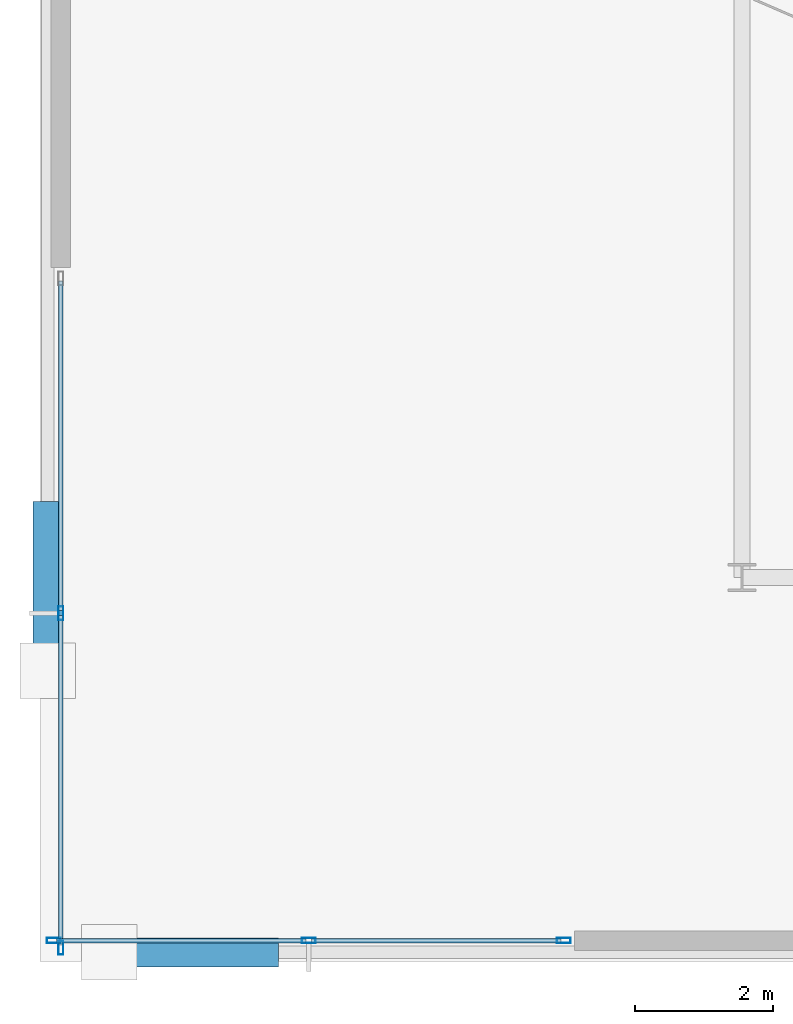
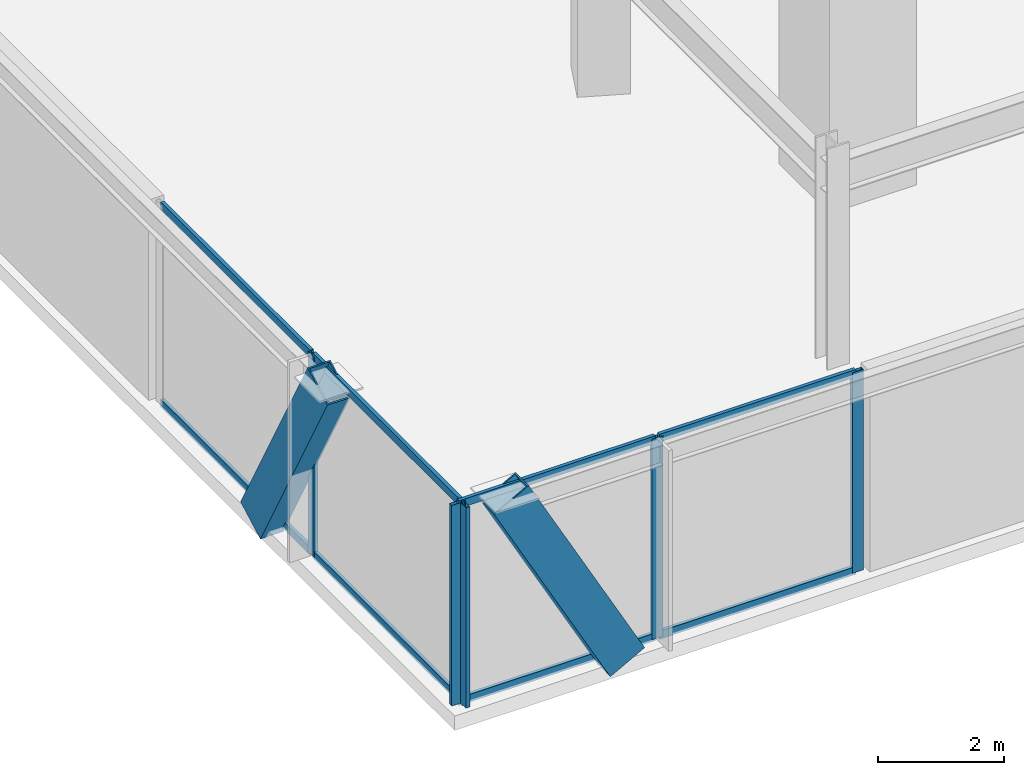
# One storey, part 2 of 46: 15 members, 2 elements without a shape of their own.
"""IFC4 building model written with IfcOpenShell, lengths in metres."""

from ifc_helpers import new_model, si_unit, direction, frame, origin, origin_2d, place, context, subcontext, project, spatial, hollow_rectangle, extrude, material, layer, layer_set, material_profile, profile_set, type_object, element, aggregate, save


model = new_model("IFC4")

# Units and contexts
model_context = context("Model", 3, precision=1e-05, world=origin(), true_north=direction((0.0, 1.0)))
body_context = subcontext(model_context, "Body", "Model", "MODEL_VIEW")
ifc_project = project(units=[si_unit("LENGTHUNIT", "METRE"), si_unit("AREAUNIT", "SQUARE_METRE"), si_unit("VOLUMEUNIT", "CUBIC_METRE"), si_unit("PLANEANGLEUNIT", "RADIAN"), si_unit("MASSUNIT", "GRAM", prefix="KILO")], contexts=[model_context])

# Site, building, storey
site_placement = place(None, origin())
site = spatial("IfcSite", under=ifc_project, at=site_placement, CompositionType="ELEMENT")
building_placement = place(site_placement, origin())
building = spatial("IfcBuilding", under=site, at=building_placement, Name="Orvanel Arch Residences", CompositionType="ELEMENT")
storey_placement = place(building_placement, frame((0.0, 0.0, 14.10009765625)))
storey = spatial("IfcBuildingStorey", under=building, at=storey_placement, Name="L03", CompositionType="ELEMENT", Elevation=14.10009765625)

# Members
ifc_material_1 = material(Name="Structural steel AS/NZS 3678 Grade 350", Category="steel")
ifc_material_profile_1 = material_profile(ifc_material_1, hollow_rectangle(XDim=0.419921875, YDim=0.719970703125, WallThickness=0.02490234375, at=origin_2d()), Name="RHS720x420x25")
ifc_profile_set_1 = profile_set([ifc_material_profile_1], Name="Structural steel AS/NZS 3678 Grade 350")
member_type_1 = type_object("IfcMemberType", Name="BR-720RHS-EXT", PredefinedType="BRACE", material=ifc_profile_set_1)
for number, where, z_axis, x_axis, name in (
    (1, (4.384033203125, 0.580078125, 0.0), (-0.480032945873, 0.0, 0.877250460745), (0.0, -1.0, 0.0), "L03 Podium Multi-Storey V-Strut Pair SW Leg 1"),
    (2, (1.360107421875, 6.783935546875, 0.0), (0.0, -0.480032945873, 0.877250460745), (1.0, 0.0, 0.0), "L03 Podium Multi-Storey V-Strut Pair W1 Leg 1"),
):
    element("IfcMember", number, at=place(storey_placement, frame(where, z_axis=z_axis, x_axis=x_axis)), inside=storey, type_object=member_type_1, Name=name, PredefinedType="BRACE", context=body_context, shape_type="SweptSolid", body=[
        extrude(hollow_rectangle(XDim=0.419921875, YDim=0.719970703125, WallThickness=0.02490234375, at=origin_2d()), origin(), (0.0, 0.0, 1.0), 4.445556640625),
    ])

# Curtain wall, members
ifc_material_2 = material(Name="Bronze-anodised aluminium AA6063-T6", Category="aluminium")
ifc_layer = layer(ifc_material_2, 0.199951171875)
ifc_layer_set = layer_set([ifc_layer], Name="Bronze-anodised aluminium AA6063-T6")
curtain_wall_type = type_object("IfcCurtainWallType", Name="CW1-POD-SYS", PredefinedType="NOTDEFINED", material=ifc_layer_set)
curtain_wall_1_placement = place(storey_placement, origin())
curtain_wall_1 = element("IfcCurtainWall", 3, at=curtain_wall_1_placement, inside=storey, type_object=curtain_wall_type, Name="L03 CW1-POD-SYS Unitised Curtain Wall", PredefinedType="NOTDEFINED")
ifc_material_profile_2 = material_profile(ifc_material_2, hollow_rectangle(XDim=0.074951171875, YDim=0.199951171875, WallThickness=0.0048828125, at=origin_2d()), Name="ALU200x75x5")
ifc_profile_set_2 = profile_set([ifc_material_profile_2], Name="Bronze-anodised aluminium AA6063-T6")
member_type_2 = type_object("IfcMemberType", Name="MUL-200x75", PredefinedType="MULLION", material=ifc_profile_set_2)
member_1_placement = place(storey_placement, frame((1.447509765625, 0.75, 0.0), z_axis=(0.0, 0.0, 1.0), x_axis=(0.0, 1.0, 0.0)))
member_1 = element("IfcMember", 4, at=member_1_placement, type_object=member_type_2, Name="CW-S1 mullion 1", PredefinedType="MULLION", context=body_context, shape_type="SweptSolid", body=[
    extrude(hollow_rectangle(XDim=0.074951171875, YDim=0.199951171875, WallThickness=0.0048828125, at=origin_2d()), origin(), (0.0, 0.0, 1.0), 3.89990234375),
])
member_2_placement = place(storey_placement, frame((5.135009765625, 0.75, 0.0), z_axis=(0.0, 0.0, 1.0), x_axis=(0.0, 1.0, 0.0)))
member_2 = element("IfcMember", 5, at=member_2_placement, type_object=member_type_2, Name="CW-S1 mullion 2", PredefinedType="MULLION", context=body_context, shape_type="SweptSolid", body=[
    extrude(hollow_rectangle(XDim=0.074951171875, YDim=0.199951171875, WallThickness=0.0048828125, at=origin_2d()), origin(), (0.0, 0.0, 1.0), 3.89990234375),
])
member_3_placement = place(storey_placement, frame((8.822509765625, 0.75, 0.0), z_axis=(0.0, 0.0, 1.0), x_axis=(0.0, 1.0, 0.0)))
member_3 = element("IfcMember", 6, at=member_3_placement, type_object=member_type_2, Name="CW-S1 mullion 3", PredefinedType="MULLION", context=body_context, shape_type="SweptSolid", body=[
    extrude(hollow_rectangle(XDim=0.074951171875, YDim=0.199951171875, WallThickness=0.0048828125, at=origin_2d()), origin(), (0.0, 0.0, 1.0), 3.89990234375),
])

curtain_wall_2_placement = place(storey_placement, origin())
curtain_wall_2 = element("IfcCurtainWall", 7, at=curtain_wall_2_placement, inside=storey, type_object=curtain_wall_type, Name="L03 CW1-POD-SYS Unitised Curtain Wall", PredefinedType="NOTDEFINED")
member_4_placement = place(storey_placement, frame((1.550048828125, 5.485107421875, 0.0), z_axis=(0.0, 0.0, 1.0), x_axis=(1.0, 0.0, 0.0)))
member_4 = element("IfcMember", 8, at=member_4_placement, type_object=member_type_2, Name="CW-S1 mullion 2", PredefinedType="MULLION", context=body_context, shape_type="SweptSolid", body=[
    extrude(hollow_rectangle(XDim=0.074951171875, YDim=0.199951171875, WallThickness=0.0048828125, at=origin_2d()), origin(), (0.0, 0.0, 1.0), 3.89990234375),
])
member_5_placement = place(storey_placement, frame((1.550048828125, 0.6474609375, 0.0), z_axis=(0.0, 0.0, 1.0), x_axis=(1.0, 0.0, 0.0)))
member_5 = element("IfcMember", 9, at=member_5_placement, type_object=member_type_2, Name="CW-S1 mullion 3", PredefinedType="MULLION", context=body_context, shape_type="SweptSolid", body=[
    extrude(hollow_rectangle(XDim=0.074951171875, YDim=0.199951171875, WallThickness=0.0048828125, at=origin_2d()), origin(), (0.0, 0.0, 1.0), 3.89990234375),
])

# Member
ifc_material_profile_3 = material_profile(ifc_material_2, hollow_rectangle(XDim=0.06494140625, YDim=0.14990234375, WallThickness=0.00390625, at=origin_2d()), Name="ALU150x65x4")
ifc_profile_set_3 = profile_set([ifc_material_profile_3], Name="Bronze-anodised aluminium AA6063-T6")
member_type_3 = type_object("IfcMemberType", Name="TRN-150x65", PredefinedType="USERDEFINED", material=ifc_profile_set_3)
member_6_placement = place(storey_placement, frame((1.485107421875, 0.75, 0.032470703125), z_axis=(1.0, 0.0, 0.0), x_axis=(0.0, 1.0, 0.0)))
member_6 = element("IfcMember", 10, at=member_6_placement, type_object=member_type_3, Name="CW-S1 transom 1.1", ObjectType="TRANSOM", PredefinedType="USERDEFINED", context=body_context, shape_type="SweptSolid", body=[
    extrude(hollow_rectangle(XDim=0.06494140625, YDim=0.14990234375, WallThickness=0.00390625, at=origin_2d()), origin(), (0.0, 0.0, 1.0), 3.6123046875),
])

member_7_placement = place(storey_placement, frame((1.485107421875, 0.75, 3.867431640625), z_axis=(1.0, 0.0, 0.0), x_axis=(0.0, 1.0, 0.0)))
member_7 = element("IfcMember", 11, at=member_7_placement, type_object=member_type_3, Name="CW-S1 transom 1.2", ObjectType="TRANSOM", PredefinedType="USERDEFINED", context=body_context, shape_type="SweptSolid", body=[
    extrude(hollow_rectangle(XDim=0.06494140625, YDim=0.14990234375, WallThickness=0.00390625, at=origin_2d()), origin(), (0.0, 0.0, 1.0), 3.6123046875),
])

member_8_placement = place(storey_placement, frame((5.172607421875, 0.75, 0.032470703125), z_axis=(1.0, 0.0, 0.0), x_axis=(0.0, 1.0, 0.0)))
member_8 = element("IfcMember", 12, at=member_8_placement, type_object=member_type_3, Name="CW-S1 transom 2.1", ObjectType="TRANSOM", PredefinedType="USERDEFINED", context=body_context, shape_type="SweptSolid", body=[
    extrude(hollow_rectangle(XDim=0.06494140625, YDim=0.14990234375, WallThickness=0.00390625, at=origin_2d()), origin(), (0.0, 0.0, 1.0), 3.6123046875),
])

member_9_placement = place(storey_placement, frame((5.172607421875, 0.75, 3.867431640625), z_axis=(1.0, 0.0, 0.0), x_axis=(0.0, 1.0, 0.0)))
member_9 = element("IfcMember", 13, at=member_9_placement, type_object=member_type_3, Name="CW-S1 transom 2.2", ObjectType="TRANSOM", PredefinedType="USERDEFINED", context=body_context, shape_type="SweptSolid", body=[
    extrude(hollow_rectangle(XDim=0.06494140625, YDim=0.14990234375, WallThickness=0.00390625, at=origin_2d()), origin(), (0.0, 0.0, 1.0), 3.6123046875),
])

aggregate(curtain_wall_1, [member_1, member_2, member_3, member_6, member_7, member_8, member_9])

member_10_placement = place(storey_placement, frame((1.550048828125, 10.284912109375, 0.032470703125), z_axis=(0.0, -1.0, 0.0), x_axis=(1.0, 0.0, 0.0)))
member_10 = element("IfcMember", 14, at=member_10_placement, type_object=member_type_3, Name="CW-S1 transom 1.1", ObjectType="TRANSOM", PredefinedType="USERDEFINED", context=body_context, shape_type="SweptSolid", body=[
    extrude(hollow_rectangle(XDim=0.06494140625, YDim=0.14990234375, WallThickness=0.00390625, at=origin_2d()), origin(), (0.0, 0.0, 1.0), 4.762451171875),
])

member_11_placement = place(storey_placement, frame((1.550048828125, 10.284912109375, 3.867431640625), z_axis=(0.0, -1.0, 0.0), x_axis=(1.0, 0.0, 0.0)))
member_11 = element("IfcMember", 15, at=member_11_placement, type_object=member_type_3, Name="CW-S1 transom 1.2", ObjectType="TRANSOM", PredefinedType="USERDEFINED", context=body_context, shape_type="SweptSolid", body=[
    extrude(hollow_rectangle(XDim=0.06494140625, YDim=0.14990234375, WallThickness=0.00390625, at=origin_2d()), origin(), (0.0, 0.0, 1.0), 4.762451171875),
])

member_12_placement = place(storey_placement, frame((1.550048828125, 5.447509765625, 0.032470703125), z_axis=(0.0, -1.0, 0.0), x_axis=(1.0, 0.0, 0.0)))
member_12 = element("IfcMember", 16, at=member_12_placement, type_object=member_type_3, Name="CW-S1 transom 2.1", ObjectType="TRANSOM", PredefinedType="USERDEFINED", context=body_context, shape_type="SweptSolid", body=[
    extrude(hollow_rectangle(XDim=0.06494140625, YDim=0.14990234375, WallThickness=0.00390625, at=origin_2d()), origin(), (0.0, 0.0, 1.0), 4.762451171875),
])

member_13_placement = place(storey_placement, frame((1.550048828125, 5.447509765625, 3.867431640625), z_axis=(0.0, -1.0, 0.0), x_axis=(1.0, 0.0, 0.0)))
member_13 = element("IfcMember", 17, at=member_13_placement, type_object=member_type_3, Name="CW-S1 transom 2.2", ObjectType="TRANSOM", PredefinedType="USERDEFINED", context=body_context, shape_type="SweptSolid", body=[
    extrude(hollow_rectangle(XDim=0.06494140625, YDim=0.14990234375, WallThickness=0.00390625, at=origin_2d()), origin(), (0.0, 0.0, 1.0), 4.762451171875),
])

aggregate(curtain_wall_2, [member_4, member_5, member_10, member_11, member_12, member_13])

save(model, "model.ifc")
